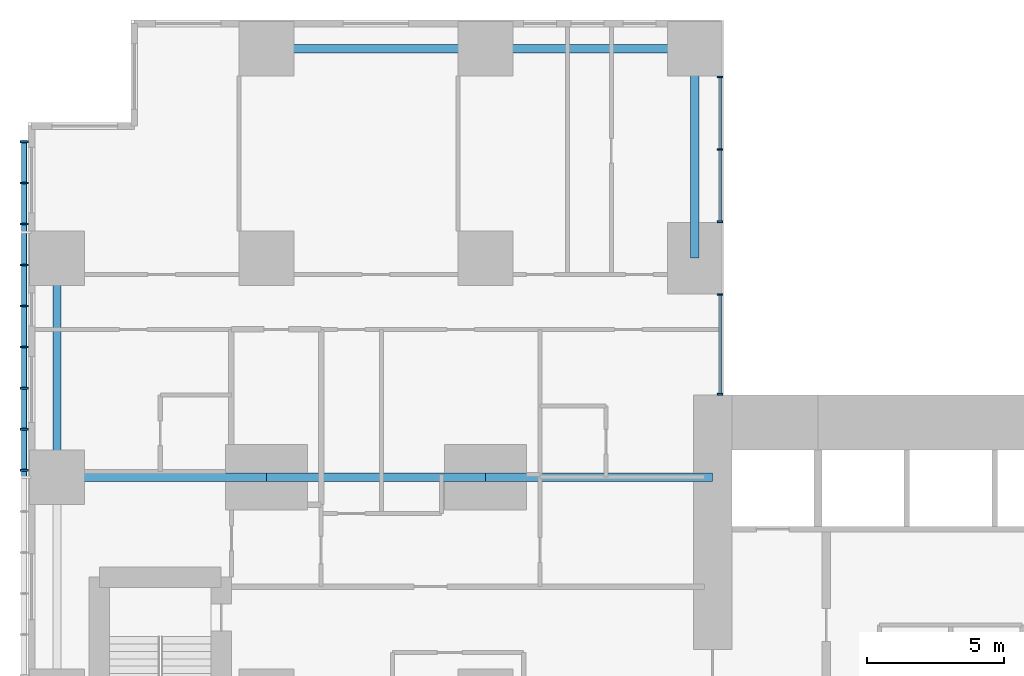
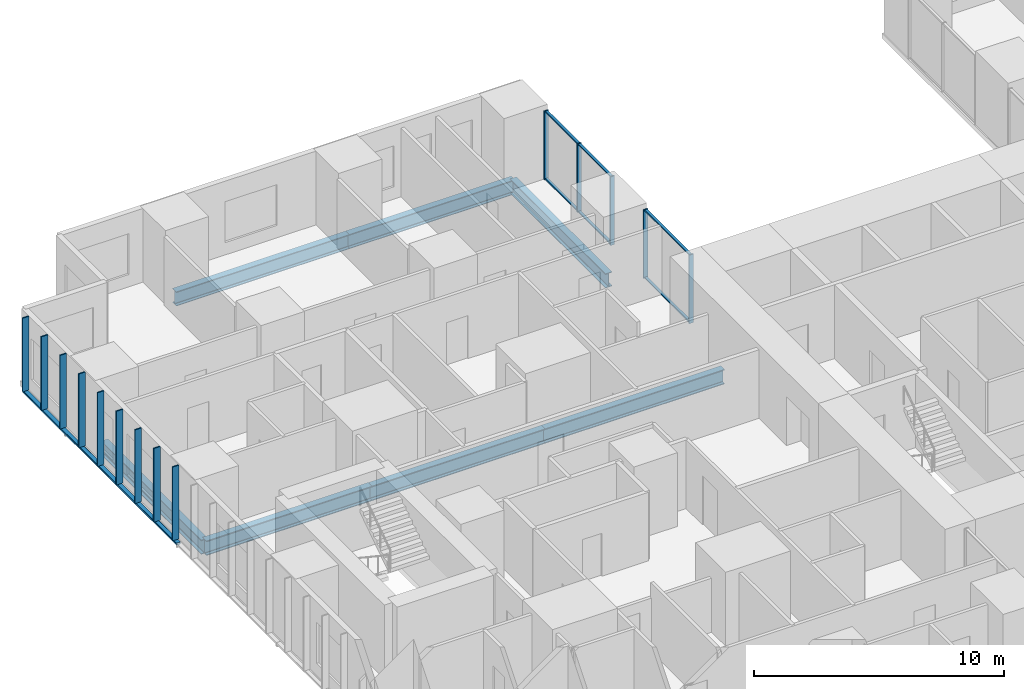
# One storey, part 4 of 20: 21 members, 7 beams, 2 elements without a shape of their own.
"""IFC4 building model written with IfcOpenShell, lengths in metres."""

import ifcopenshell
import ifcopenshell.guid

model = None  # the IFC model being written
_history = None  # IfcOwnerHistory: only IFC2X3 demands one
_inside = {}  # id of a spatial element -> (the spatial element, [elements in it])
_under = {}  # id of a project, library or spatial element -> (it, [spatial elements below it])
_declared = {}  # id of a project -> (the project, [libraries it declares])
_typed = {}  # id of a type object -> (the type object, [elements of that type])
_made_of = {}  # id of a material, layer set ... -> (it, [elements and type objects made of it])


def new_model(schema):
    """Start an empty IFC model of exactly this schema.

    Asked for "IFC4X3", IfcOpenShell would pick the latest addendum, in which some entities
    have other attributes; the version numbers below select the first issue.
    IFC2X3 requires an IfcOwnerHistory on every rooted entity: one is made here for all.
    """
    global model, _history
    if schema == "IFC4X3":
        model = ifcopenshell.file(schema_version=(4, 3, 0, 0))
    else:
        model = ifcopenshell.file(schema=schema)
    _inside.clear()
    _under.clear()
    _declared.clear()
    _typed.clear()
    _made_of.clear()
    _history = None
    if model.schema == "IFC2X3":
        org = make("IfcOrganization", Name="unknown")
        user = make(
            "IfcPersonAndOrganization",
            ThePerson=make("IfcPerson", FamilyName="unknown"),
            TheOrganization=org,
        )
        app = make(
            "IfcApplication",
            ApplicationDeveloper=org,
            Version="unknown",
            ApplicationFullName="unknown",
            ApplicationIdentifier="unknown",
        )
        _history = make(
            "IfcOwnerHistory",
            OwningUser=user,
            OwningApplication=app,
            ChangeAction="ADDED",
            CreationDate=0,
        )
    return model


def make(cls, **values):
    """One entity of the class cls with the attributes given. An attribute that is None is left unset."""
    return model.create_entity(
        cls, **{name: value for name, value in values.items() if value is not None}
    )


def rooted(cls, **values):
    """An entity with a GlobalId (a new one), such as an element, a storey or a relation."""
    return make(cls, GlobalId=ifcopenshell.guid.new(), OwnerHistory=_history, **values)


def si_unit(unit_type, name, prefix=None):
    """IfcSIUnit, for example si_unit("LENGTHUNIT", "METRE", prefix="MILLI")."""
    return make("IfcSIUnit", UnitType=unit_type, Prefix=prefix, Name=name)


def assignment(units):
    """IfcUnitAssignment: the units of a project."""
    return None if units is None else make("IfcUnitAssignment", Units=units)


def point(xyz):
    """IfcCartesianPoint."""
    return None if xyz is None else make("IfcCartesianPoint", Coordinates=xyz)


def direction(xyz):
    """IfcDirection."""
    return None if xyz is None else make("IfcDirection", DirectionRatios=xyz)


def frame(location, z_axis=None, x_axis=None):
    """IfcAxis2Placement3D, a coordinate frame: its origin and axes. An axis left out is left unset."""
    return make(
        "IfcAxis2Placement3D",
        Location=point(location),
        Axis=direction(z_axis),
        RefDirection=direction(x_axis),
    )


def frame_2d(location, x_axis=None):
    """IfcAxis2Placement2D, a coordinate frame in the plane: its origin and x axis."""
    return make(
        "IfcAxis2Placement2D", Location=point(location), RefDirection=direction(x_axis)
    )


def origin():
    """The frame at (0, 0, 0) with its axes left unset."""
    return frame((0.0, 0.0, 0.0))


def origin_2d():
    """The frame at (0, 0) in the plane with its x axis left unset."""
    return frame_2d((0.0, 0.0))


def place(relative_to, where):
    """IfcLocalPlacement: puts the frame where relative to a parent placement (None: the world)."""
    return make(
        "IfcLocalPlacement", PlacementRelTo=relative_to, RelativePlacement=where
    )


def context(
    kind, dimensions, precision=None, world=None, true_north=None, identifier=None
):
    """IfcGeometricRepresentationContext, for example the 3D "Model" context."""
    return make(
        "IfcGeometricRepresentationContext",
        ContextIdentifier=identifier,
        ContextType=kind,
        CoordinateSpaceDimension=dimensions,
        Precision=precision,
        WorldCoordinateSystem=world,
        TrueNorth=true_north,
    )


def subcontext(parent, identifier, kind, view, scale=None):
    """IfcGeometricRepresentationSubContext, for example "Body" below "Model"."""
    return make(
        "IfcGeometricRepresentationSubContext",
        ContextIdentifier=identifier,
        ContextType=kind,
        ParentContext=parent,
        TargetScale=scale,
        TargetView=view,
    )


def project(units=None, contexts=None):
    """IfcProject with its units and contexts."""
    return rooted(
        "IfcProject",
        Name="project",
        RepresentationContexts=contexts,
        UnitsInContext=assignment(units),
    )


def spatial(cls, under=None, at=None, **own):
    """A site, building, storey or space (cls), placed at a placement, below another one or the project."""
    s = rooted(cls, ObjectPlacement=at, **own)
    if under is not None:
        _under.setdefault(under.id(), (under, []))[1].append(s)
    return s


def profile(cls, at=None, kind="AREA", **sizes):
    """A parametric profile (cls). Its sizes go by their IFC names, for example OverallWidth=200.0."""
    return make(cls, ProfileType=kind, Position=at, **sizes)


def rectangle(**sizes):
    """IfcRectangleProfileDef."""
    return profile("IfcRectangleProfileDef", **sizes)


def hollow_rectangle(**sizes):
    """IfcRectangleHollowProfileDef."""
    return profile("IfcRectangleHollowProfileDef", **sizes)


def i_section(**sizes):
    """IfcIShapeProfileDef."""
    return profile("IfcIShapeProfileDef", **sizes)


def extrude(swept, where, along, depth):
    """IfcExtrudedAreaSolid: the profile swept, set in the frame where, extruded along a direction by depth."""
    return make(
        "IfcExtrudedAreaSolid",
        SweptArea=swept,
        Position=where,
        ExtrudedDirection=direction(along),
        Depth=depth,
    )


def shape(context_of_items, identifier, shape_type, items):
    """IfcShapeRepresentation: the items that make up one representation, for example the "Body"."""
    return make(
        "IfcShapeRepresentation",
        ContextOfItems=context_of_items,
        RepresentationIdentifier=identifier,
        RepresentationType=shape_type,
        Items=items,
    )


def material(Name=None, Category=None):
    """IfcMaterial."""
    return make("IfcMaterial", Name=Name, Category=Category)


def layer(
    of_material, thickness, ventilated=None, Name=None, Category=None, Priority=None
):
    """IfcMaterialLayer: one layer of a wall or slab, of a material (None: an air gap)."""
    return make(
        "IfcMaterialLayer",
        Material=of_material,
        LayerThickness=thickness,
        IsVentilated=ventilated,
        Name=Name,
        Category=Category,
        Priority=Priority,
    )


def layer_set(layers, Name=None):
    """IfcMaterialLayerSet."""
    return make("IfcMaterialLayerSet", MaterialLayers=layers, LayerSetName=Name)


def material_profile(
    of_material, cross_section, Name=None, Category=None, Priority=None
):
    """IfcMaterialProfile: a cross section and its material."""
    return make(
        "IfcMaterialProfile",
        Name=Name,
        Material=of_material,
        Profile=cross_section,
        Priority=Priority,
        Category=Category,
    )


def profile_set(profiles, Name=None, composite=None):
    """IfcMaterialProfileSet."""
    return make(
        "IfcMaterialProfileSet",
        Name=Name,
        MaterialProfiles=profiles,
        CompositeProfile=composite,
    )


def made_of(thing, what):
    """Note that an element or type object is made of a material, layer set ...; save() writes the relation."""
    if what is not None:
        _made_of.setdefault(what.id(), (what, []))[1].append(thing)
    return thing


def type_object(cls, material=None, **own):
    """A type object (cls), such as IfcWallType, which elements share."""
    return made_of(rooted(cls, **own), material)


def element(
    cls,
    number,
    at=None,
    inside=None,
    cuts=None,
    type_object=None,
    material=None,
    context=None,
    identifier="Body",
    shape_type=None,
    held_by="IfcProductDefinitionShape",
    body=None,
    shapes=None,
    **own,
):
    """One element of the class cls, such as IfcWall. Its Tag is "e" and its number.

    at: its placement. inside: the storey or other place that contains it. cuts: it is an
    opening in that element (IfcRelVoidsElement). A single representation is given by context,
    identifier, shape_type and body (its items); several are given by shapes. held_by: the class
    of the entity that holds the representations. save() writes the other relations.
    """
    e = rooted(cls, Tag="e%d" % number, ObjectPlacement=at, **own)
    if body is not None:
        shapes = [shape(context, identifier, shape_type, body)]
    if shapes is not None:
        e.Representation = make(held_by, Representations=shapes)
    if inside is not None:
        _inside.setdefault(inside.id(), (inside, []))[1].append(e)
    if cuts is not None:
        rooted(
            "IfcRelVoidsElement", RelatingBuildingElement=cuts, RelatedOpeningElement=e
        )
    if type_object is not None:
        _typed.setdefault(type_object.id(), (type_object, []))[1].append(e)
    return made_of(e, material)


def aggregate(whole, parts):
    """IfcRelAggregates: a whole, such as a stair, and the parts it consists of."""
    return rooted("IfcRelAggregates", RelatingObject=whole, RelatedObjects=parts)


def save(model, path):
    """Write the relations noted so far, then the file.

    IfcRelAggregates (storeys below a building ...), IfcRelContainedInSpatialStructure (elements
    in a storey), IfcRelDefinesByType, IfcRelAssociatesMaterial and IfcRelDeclares: one each for
    every whole, place, type object, material and project.
    """
    for whole, parts in _under.values():
        aggregate(whole, parts)
    for where, things in _inside.values():
        rooted(
            "IfcRelContainedInSpatialStructure",
            RelatedElements=things,
            RelatingStructure=where,
        )
    for kind, things in _typed.values():
        rooted("IfcRelDefinesByType", RelatedObjects=things, RelatingType=kind)
    for what, things in _made_of.values():
        rooted("IfcRelAssociatesMaterial", RelatedObjects=things, RelatingMaterial=what)
    for by, libraries in _declared.values():
        rooted("IfcRelDeclares", RelatingContext=by, RelatedDefinitions=libraries)
    model.write(path)


model = new_model("IFC4")

# Units and contexts
model_context = context("Model", 3, precision=1e-05, world=origin(), true_north=direction((0.0, 1.0)))
body_context = subcontext(model_context, "Body", "Model", "MODEL_VIEW")
ifc_project = project(units=[si_unit("LENGTHUNIT", "METRE"), si_unit("AREAUNIT", "SQUARE_METRE"), si_unit("VOLUMEUNIT", "CUBIC_METRE"), si_unit("PLANEANGLEUNIT", "RADIAN"), si_unit("MASSUNIT", "GRAM", prefix="KILO")], contexts=[model_context])

# Site, building, storey
site_placement = place(None, origin())
site = spatial("IfcSite", under=ifc_project, at=site_placement, CompositionType="ELEMENT")
building_placement = place(site_placement, origin())
building = spatial("IfcBuilding", under=site, at=building_placement, Name="Cleftline Residences", CompositionType="ELEMENT")
storey_placement = place(building_placement, frame((0.0, 0.0, 83.60009765625)))
storey = spatial("IfcBuildingStorey", under=building, at=storey_placement, Name="L21", CompositionType="ELEMENT", Elevation=83.60009765625)

# Member
ifc_material_1 = material(Name="Steel S355, hot-dip galvanised", Category="steel")
ifc_material_profile_1 = material_profile(ifc_material_1, hollow_rectangle(XDim=0.10009765625, YDim=0.199951171875, WallThickness=0.008056640625, InnerFilletRadius=0.008056640625, OuterFilletRadius=0.011962890625, at=origin_2d()))
ifc_profile_set_1 = profile_set([ifc_material_profile_1], Name="Steel S355, hot-dip galvanised")
member_type_1 = type_object("IfcMemberType", Name="BAGUETTE CARRIER RHS 200X100X8", PredefinedType="USERDEFINED", material=ifc_profile_set_1)
member_1_placement = place(storey_placement, frame((-0.85009765625, 44.300048828125, -0.050048828125), z_axis=(0.0, -1.0, 0.0), x_axis=(0.0, 0.0, 1.0)))
element("IfcMember", 1, at=member_1_placement, inside=storey, type_object=member_type_1, Name="Baguette carrier", ObjectType="BAGUETTE CARRIER", PredefinedType="USERDEFINED", context=body_context, shape_type="SweptSolid", body=[
    extrude(hollow_rectangle(XDim=0.10009765625, YDim=0.199951171875, WallThickness=0.008056640625, InnerFilletRadius=0.008056640625, OuterFilletRadius=0.011962890625, at=origin_2d()), origin(), (0.0, 0.0, 1.0), 12.300048828125),
])

# Beams
ifc_material_2 = material(Name="Steel S355", Category="steel")
ifc_material_profile_2 = material_profile(ifc_material_2, i_section(OverallWidth=0.300048828125, OverallDepth=0.699951171875, WebThickness=0.01708984375, FlangeThickness=0.031982421875, FilletRadius=0.027099609375, at=origin_2d()))
ifc_profile_set_2 = profile_set([ifc_material_profile_2], Name="Steel S355")
beam_type_1 = type_object("IfcBeamType", Name="BEAM HEB 700", PredefinedType="BEAM", material=ifc_profile_set_2)
for number, where, z_axis, x_axis, name in (
    (2, (0.35009765625, 32.0, -0.60009765625), (0.0, 1.0, 0.0), (-1.0, 0.0, 0.0), "Edge beam"),
    (3, (8.0, 47.64990234375, -0.60009765625), (1.0, 0.0, 0.0), (0.0, 1.0, 0.0), "Edge beam"),
):
    element("IfcBeam", number, at=place(storey_placement, frame(where, z_axis=z_axis, x_axis=x_axis)), inside=storey, type_object=beam_type_1, Name=name, PredefinedType="BEAM", context=body_context, shape_type="SweptSolid", body=[
        extrude(i_section(OverallWidth=0.300048828125, OverallDepth=0.699951171875, WebThickness=0.01708984375, FlangeThickness=0.031982421875, FilletRadius=0.027099609375, at=origin_2d()), origin(), (0.0, 0.0, 1.0), 8.0),
    ])
for number, where, z_axis, x_axis, name in (
    (4, (16.0, 47.64990234375, -0.60009765625), (1.0, 0.0, 0.0), (0.0, 1.0, 0.0), "Edge beam"),
    (5, (23.64990234375, 47.64990234375, -0.60009765625), (0.0, -1.0, 0.0), (1.0, 0.0, 0.0), "Edge beam"),
):
    element("IfcBeam", number, at=place(storey_placement, frame(where, z_axis=z_axis, x_axis=x_axis)), inside=storey, type_object=beam_type_1, Name=name, PredefinedType="BEAM", context=body_context, shape_type="SweptSolid", body=[
        extrude(i_section(OverallWidth=0.300048828125, OverallDepth=0.699951171875, WebThickness=0.01708984375, FlangeThickness=0.031982421875, FilletRadius=0.027099609375, at=origin_2d()), origin(), (0.0, 0.0, 1.0), 7.64990234375),
    ])
ifc_material_3 = material(Name="Steel S355", Category="steel")
ifc_material_profile_3 = material_profile(ifc_material_3, i_section(OverallWidth=0.303955078125, OverallDepth=0.716064453125, WebThickness=0.02099609375, FlangeThickness=0.0400390625, FilletRadius=0.027099609375, at=origin_2d()))
ifc_profile_set_3 = profile_set([ifc_material_profile_3], Name="Steel S355")
beam_type_2 = type_object("IfcBeamType", Name="BEAM HEM 700", PredefinedType="BEAM", material=ifc_profile_set_3)
beam_1_placement = place(storey_placement, frame((0.35009765625, 32.0, -0.608154296875), z_axis=(1.0, 0.0, 0.0), x_axis=(0.0, 1.0, 0.0)))
element("IfcBeam", 6, at=beam_1_placement, inside=storey, type_object=beam_type_2, Name="Band beam", PredefinedType="BEAM", context=body_context, shape_type="SweptSolid", body=[
    extrude(i_section(OverallWidth=0.303955078125, OverallDepth=0.716064453125, WebThickness=0.02099609375, FlangeThickness=0.0400390625, FilletRadius=0.027099609375, at=origin_2d()), origin(), (0.0, 0.0, 1.0), 7.64990234375),
])
beam_2_placement = place(storey_placement, frame((8.0, 32.0, -0.608154296875), z_axis=(1.0, 0.0, 0.0), x_axis=(0.0, 1.0, 0.0)))
element("IfcBeam", 7, at=beam_2_placement, inside=storey, type_object=beam_type_2, Name="Band beam", PredefinedType="BEAM", context=body_context, shape_type="SweptSolid", body=[
    extrude(i_section(OverallWidth=0.303955078125, OverallDepth=0.716064453125, WebThickness=0.02099609375, FlangeThickness=0.0400390625, FilletRadius=0.027099609375, at=origin_2d()), origin(), (0.0, 0.0, 1.0), 8.0),
])
beam_3_placement = place(storey_placement, frame((16.0, 32.0, -0.608154296875), z_axis=(1.0, 0.0, 0.0), x_axis=(0.0, 1.0, 0.0)))
element("IfcBeam", 8, at=beam_3_placement, inside=storey, type_object=beam_type_2, Name="Band beam", PredefinedType="BEAM", context=body_context, shape_type="SweptSolid", body=[
    extrude(i_section(OverallWidth=0.303955078125, OverallDepth=0.716064453125, WebThickness=0.02099609375, FlangeThickness=0.0400390625, FilletRadius=0.027099609375, at=origin_2d()), origin(), (0.0, 0.0, 1.0), 8.300048828125),
])

# Curtain wall, members
ifc_material_4 = material(Name="Aluminium framed curtain wall", Category="aluminium")
ifc_layer = layer(ifc_material_4, 0.199951171875)
ifc_layer_set = layer_set([ifc_layer], Name="CW1 CLEFT GLAZING")
curtain_wall_type = type_object("IfcCurtainWallType", Name="CW1 CLEFT GLAZING", PredefinedType="NOTDEFINED", material=ifc_layer_set)
curtain_wall_1_placement = place(storey_placement, origin())
curtain_wall_1 = element("IfcCurtainWall", 9, at=curtain_wall_1_placement, inside=storey, type_object=curtain_wall_type, Name="Curtain wall CW1", PredefinedType="NOTDEFINED")
ifc_material_5 = material(Name="Aluminium mullion", Category="aluminium")
ifc_material_profile_4 = material_profile(ifc_material_5, rectangle(XDim=0.199951171875, YDim=0.06005859375, at=origin_2d()))
ifc_profile_set_4 = profile_set([ifc_material_profile_4], Name="Aluminium mullion")
member_type_2 = type_object("IfcMemberType", Name="CW1 MULLION", PredefinedType="MULLION", material=ifc_profile_set_4)
member_2_placement = place(storey_placement, frame((24.574951171875, 35.030029296875, 0.0), z_axis=(0.0, 0.0, 1.0), x_axis=(-1.0, 0.0, 0.0)))
member_2 = element("IfcMember", 10, at=member_2_placement, type_object=member_type_2, Name="CW1 mullion 1", PredefinedType="MULLION", context=body_context, shape_type="SweptSolid", body=[
    extrude(rectangle(XDim=0.199951171875, YDim=0.06005859375, at=origin_2d()), origin(), (0.0, 0.0, 1.0), 3.349853515625),
])
member_3_placement = place(storey_placement, frame((24.574951171875, 38.669921875, 0.0), z_axis=(0.0, 0.0, 1.0), x_axis=(-1.0, 0.0, 0.0)))
member_3 = element("IfcMember", 11, at=member_3_placement, type_object=member_type_2, Name="CW1 mullion 2", PredefinedType="MULLION", context=body_context, shape_type="SweptSolid", body=[
    extrude(rectangle(XDim=0.199951171875, YDim=0.06005859375, at=origin_2d()), origin(), (0.0, 0.0, 1.0), 3.349853515625),
])

curtain_wall_2_placement = place(storey_placement, origin())
curtain_wall_2 = element("IfcCurtainWall", 12, at=curtain_wall_2_placement, inside=storey, type_object=curtain_wall_type, Name="Curtain wall CW1", PredefinedType="NOTDEFINED")
member_4_placement = place(storey_placement, frame((24.574951171875, 41.330078125, 0.0), z_axis=(0.0, 0.0, 1.0), x_axis=(-1.0, 0.0, 0.0)))
member_4 = element("IfcMember", 13, at=member_4_placement, type_object=member_type_2, Name="CW1 mullion 1", PredefinedType="MULLION", context=body_context, shape_type="SweptSolid", body=[
    extrude(rectangle(XDim=0.199951171875, YDim=0.06005859375, at=origin_2d()), origin(), (0.0, 0.0, 1.0), 3.349853515625),
])
member_5_placement = place(storey_placement, frame((24.574951171875, 43.97509765625, 0.0), z_axis=(0.0, 0.0, 1.0), x_axis=(-1.0, 0.0, 0.0)))
member_5 = element("IfcMember", 14, at=member_5_placement, type_object=member_type_2, Name="CW1 mullion 2", PredefinedType="MULLION", context=body_context, shape_type="SweptSolid", body=[
    extrude(rectangle(XDim=0.199951171875, YDim=0.06005859375, at=origin_2d()), origin(), (0.0, 0.0, 1.0), 3.349853515625),
])
member_6_placement = place(storey_placement, frame((24.574951171875, 46.6201171875, 0.0), z_axis=(0.0, 0.0, 1.0), x_axis=(-1.0, 0.0, 0.0)))
member_6 = element("IfcMember", 15, at=member_6_placement, type_object=member_type_2, Name="CW1 mullion 3", PredefinedType="MULLION", context=body_context, shape_type="SweptSolid", body=[
    extrude(rectangle(XDim=0.199951171875, YDim=0.06005859375, at=origin_2d()), origin(), (0.0, 0.0, 1.0), 3.349853515625),
])

# Member
ifc_material_6 = material(Name="Aluminium transom", Category="aluminium")
ifc_material_profile_5 = material_profile(ifc_material_6, rectangle(XDim=0.1201171875, YDim=0.06005859375, at=origin_2d()))
ifc_profile_set_5 = profile_set([ifc_material_profile_5], Name="Aluminium transom")
member_type_3 = type_object("IfcMemberType", Name="CW1 TRANSOM", PredefinedType="USERDEFINED", material=ifc_profile_set_5)
member_7_placement = place(storey_placement, frame((24.574951171875, 35.06005859375, 0.02978515625), z_axis=(0.0, 1.0, 0.0), x_axis=(-1.0, 0.0, 0.0)))
member_7 = element("IfcMember", 16, at=member_7_placement, type_object=member_type_3, Name="CW1 transom 1.1", ObjectType="TRANSOM", PredefinedType="USERDEFINED", context=body_context, shape_type="SweptSolid", body=[
    extrude(rectangle(XDim=0.1201171875, YDim=0.06005859375, at=origin_2d()), origin(), (0.0, 0.0, 1.0), 3.579833984375),
])

member_8_placement = place(storey_placement, frame((24.574951171875, 35.06005859375, 3.31982421875), z_axis=(0.0, 1.0, 0.0), x_axis=(-1.0, 0.0, 0.0)))
member_8 = element("IfcMember", 17, at=member_8_placement, type_object=member_type_3, Name="CW1 transom 1.2", ObjectType="TRANSOM", PredefinedType="USERDEFINED", context=body_context, shape_type="SweptSolid", body=[
    extrude(rectangle(XDim=0.1201171875, YDim=0.06005859375, at=origin_2d()), origin(), (0.0, 0.0, 1.0), 3.579833984375),
])

aggregate(curtain_wall_1, [member_2, member_3, member_7, member_8])

member_9_placement = place(storey_placement, frame((24.574951171875, 41.360107421875, 0.02978515625), z_axis=(0.0, 1.0, 0.0), x_axis=(-1.0, 0.0, 0.0)))
member_9 = element("IfcMember", 18, at=member_9_placement, type_object=member_type_3, Name="CW1 transom 1.1", ObjectType="TRANSOM", PredefinedType="USERDEFINED", context=body_context, shape_type="SweptSolid", body=[
    extrude(rectangle(XDim=0.1201171875, YDim=0.06005859375, at=origin_2d()), origin(), (0.0, 0.0, 1.0), 2.5849609375),
])

member_10_placement = place(storey_placement, frame((24.574951171875, 41.360107421875, 3.31982421875), z_axis=(0.0, 1.0, 0.0), x_axis=(-1.0, 0.0, 0.0)))
member_10 = element("IfcMember", 19, at=member_10_placement, type_object=member_type_3, Name="CW1 transom 1.2", ObjectType="TRANSOM", PredefinedType="USERDEFINED", context=body_context, shape_type="SweptSolid", body=[
    extrude(rectangle(XDim=0.1201171875, YDim=0.06005859375, at=origin_2d()), origin(), (0.0, 0.0, 1.0), 2.5849609375),
])

member_11_placement = place(storey_placement, frame((24.574951171875, 44.0048828125, 0.02978515625), z_axis=(0.0, 1.0, 0.0), x_axis=(-1.0, 0.0, 0.0)))
member_11 = element("IfcMember", 20, at=member_11_placement, type_object=member_type_3, Name="CW1 transom 2.1", ObjectType="TRANSOM", PredefinedType="USERDEFINED", context=body_context, shape_type="SweptSolid", body=[
    extrude(rectangle(XDim=0.1201171875, YDim=0.06005859375, at=origin_2d()), origin(), (0.0, 0.0, 1.0), 2.585205078125),
])

member_12_placement = place(storey_placement, frame((24.574951171875, 44.0048828125, 3.31982421875), z_axis=(0.0, 1.0, 0.0), x_axis=(-1.0, 0.0, 0.0)))
member_12 = element("IfcMember", 21, at=member_12_placement, type_object=member_type_3, Name="CW1 transom 2.2", ObjectType="TRANSOM", PredefinedType="USERDEFINED", context=body_context, shape_type="SweptSolid", body=[
    extrude(rectangle(XDim=0.1201171875, YDim=0.06005859375, at=origin_2d()), origin(), (0.0, 0.0, 1.0), 2.585205078125),
])

aggregate(curtain_wall_2, [member_4, member_5, member_6, member_9, member_10, member_11, member_12])

# Members
ifc_material_7 = material(Name="Extruded terracotta", Category="masonry")
ifc_material_profile_6 = material_profile(ifc_material_7, rectangle(XDim=0.06005859375, YDim=0.300048828125, at=origin_2d()))
ifc_profile_set_6 = profile_set([ifc_material_profile_6], Name="Extruded terracotta")
member_type_4 = type_object("IfcMemberType", Name="TERRACOTTA BAGUETTE 60X300", PredefinedType="USERDEFINED", material=ifc_profile_set_6)
for number, where, z_axis, x_axis, name in (
    (22, (-0.85009765625, 44.25, 0.0), (0.0, 0.0, 1.0), (0.0, 1.0, 0.0), "Terracotta baguette"),
    (23, (-0.85009765625, 42.75, 0.0), (0.0, 0.0, 1.0), (0.0, 1.0, 0.0), "Terracotta baguette"),
    (24, (-0.85009765625, 41.25, 0.0), (0.0, 0.0, 1.0), (0.0, 1.0, 0.0), "Terracotta baguette"),
    (25, (-0.85009765625, 39.75, 0.0), (0.0, 0.0, 1.0), (0.0, 1.0, 0.0), "Terracotta baguette"),
    (26, (-0.85009765625, 38.25, 0.0), (0.0, 0.0, 1.0), (0.0, 1.0, 0.0), "Terracotta baguette"),
    (27, (-0.85009765625, 36.75, 0.0), (0.0, 0.0, 1.0), (0.0, 1.0, 0.0), "Terracotta baguette"),
    (28, (-0.85009765625, 35.25, 0.0), (0.0, 0.0, 1.0), (0.0, 1.0, 0.0), "Terracotta baguette"),
    (29, (-0.85009765625, 33.75, 0.0), (0.0, 0.0, 1.0), (0.0, 1.0, 0.0), "Terracotta baguette"),
    (30, (-0.85009765625, 32.25, 0.0), (0.0, 0.0, 1.0), (0.0, 1.0, 0.0), "Terracotta baguette"),
):
    element("IfcMember", number, at=place(storey_placement, frame(where, z_axis=z_axis, x_axis=x_axis)), inside=storey, type_object=member_type_4, Name=name, ObjectType="BAGUETTE", PredefinedType="USERDEFINED", context=body_context, shape_type="SweptSolid", body=[
        extrude(rectangle(XDim=0.06005859375, YDim=0.300048828125, at=origin_2d()), origin(), (0.0, 0.0, 1.0), 3.599853515625),
    ])

save(model, "model.ifc")
